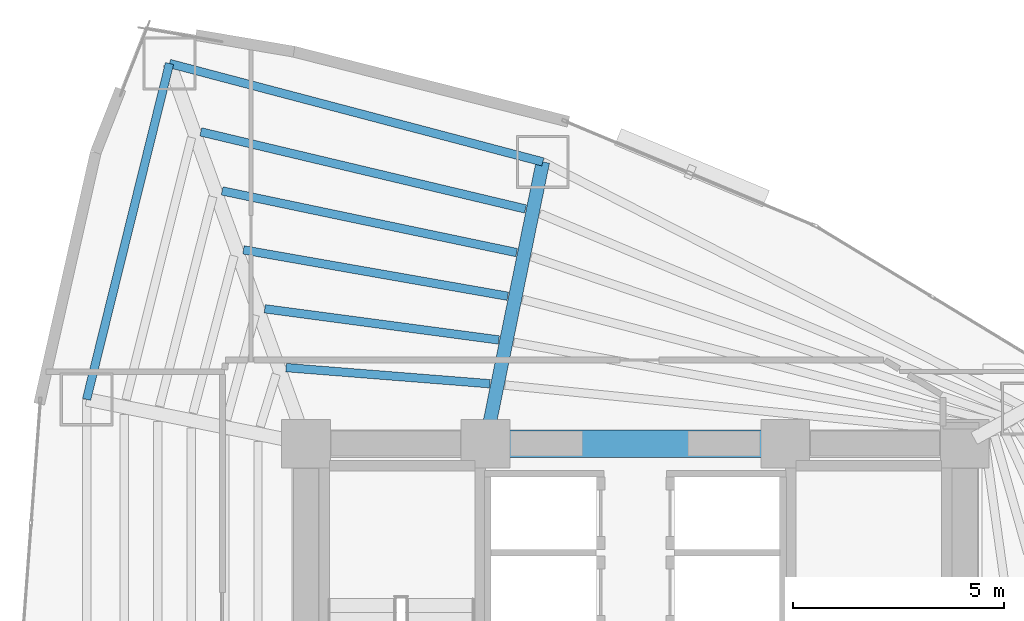
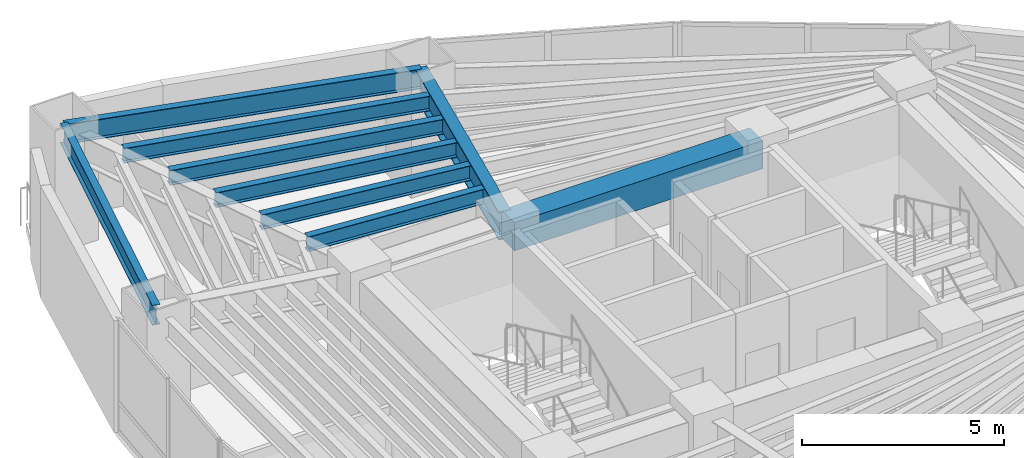
# One storey, part 8 of 16: 9 beams.
"""IFC4 building model written with IfcOpenShell, lengths in metres."""

from ifc_helpers import new_model, si_unit, direction, frame, origin, origin_2d, place, context, subcontext, project, spatial, rectangle, i_section, extrude, material, material_profile, profile_set, type_object, element, save


model = new_model("IFC4")

# Units and contexts
model_context = context("Model", 3, precision=1e-05, world=origin(), true_north=direction((0.0, 1.0)))
body_context = subcontext(model_context, "Body", "Model", "MODEL_VIEW")
ifc_project = project(units=[si_unit("LENGTHUNIT", "METRE"), si_unit("AREAUNIT", "SQUARE_METRE"), si_unit("VOLUMEUNIT", "CUBIC_METRE"), si_unit("PLANEANGLEUNIT", "RADIAN"), si_unit("MASSUNIT", "GRAM", prefix="KILO")], contexts=[model_context])

# Site, building, storey
site_placement = place(None, origin())
site = spatial("IfcSite", under=ifc_project, at=site_placement, CompositionType="ELEMENT")
building_placement = place(site_placement, origin())
building = spatial("IfcBuilding", under=site, at=building_placement, Name="Menara Vayukalpa", CompositionType="ELEMENT")
storey_placement = place(building_placement, frame((0.0, 0.0, 79.679931640625)))
storey = spatial("IfcBuildingStorey", under=building, at=storey_placement, Name="L19", CompositionType="ELEMENT", Elevation=79.679931640625)

# Beams
ifc_material_1 = material(Name="Concrete C60/75", Category="concrete")
ifc_material_profile_1 = material_profile(ifc_material_1, rectangle(XDim=0.64990234375, YDim=0.85009765625, at=origin_2d()), Name="RC 650x850")
ifc_profile_set_1 = profile_set([ifc_material_profile_1], Name="Concrete C60/75")
beam_type_1 = type_object("IfcBeamType", Name="BM-CB1", PredefinedType="BEAM", material=ifc_profile_set_1)
beam_1_placement = place(storey_placement, frame((22.050048828125, 26.800048828125, 2.955078125), z_axis=(1.0, 0.0, 0.0), x_axis=(0.0, 1.0, 0.0)))
element("IfcBeam", 1, at=beam_1_placement, inside=storey, type_object=beam_type_1, Name="L19 Core Tie Beam CBR5", PredefinedType="BEAM", context=body_context, shape_type="SweptSolid", body=[
    extrude(rectangle(XDim=0.64990234375, YDim=0.85009765625, at=origin_2d()), origin(), (0.0, 0.0, 1.0), 7.099853515625),
])
ifc_material_2 = material(Name="Steel S355", Category="steel")
ifc_material_profile_2 = material_profile(ifc_material_2, i_section(OverallWidth=0.320068359375, OverallDepth=0.85009765625, WebThickness=0.01611328125, FlangeThickness=0.030029296875, at=origin_2d()), Name="WF 850x320x16x30")
ifc_profile_set_2 = profile_set([ifc_material_profile_2], Name="Steel S355")
beam_type_2 = type_object("IfcBeamType", Name="BM-PG2", PredefinedType="BEAM", material=ifc_profile_set_2)
beam_2_placement = place(storey_placement, frame((22.099853515625, 27.044921875, 2.955078125), z_axis=(0.199617728418, 0.9798738503, 0.0), x_axis=(-0.9798738503, 0.199617728418, 0.0)))
element("IfcBeam", 2, at=beam_2_placement, inside=storey, type_object=beam_type_2, Name="L19 Primary Radial Girder RG03", PredefinedType="BEAM", context=body_context, shape_type="SweptSolid", body=[
    extrude(i_section(OverallWidth=0.320068359375, OverallDepth=0.85009765625, WebThickness=0.01611328125, FlangeThickness=0.030029296875, at=origin_2d()), origin(), (0.0, 0.0, 1.0), 6.55419921875),
])
ifc_material_3 = material(Name="Steel S355", Category="steel")
ifc_material_profile_3 = material_profile(ifc_material_3, i_section(OverallWidth=0.199951171875, OverallDepth=0.449951171875, WebThickness=0.009033203125, FlangeThickness=0.013916015625, at=origin_2d()), Name="WF 450x200x9x14")
ifc_profile_set_3 = profile_set([ifc_material_profile_3], Name="Steel S355")
beam_type_3 = type_object("IfcBeamType", Name="BM-SJ1", PredefinedType="JOIST", material=ifc_profile_set_3)
beam_3_placement = place(storey_placement, frame((22.156005859375, 28.21533203125, 3.155029296875), z_axis=(-0.996870502758, 0.079051886326, 0.0), x_axis=(-0.079051886326, -0.996870502758, 0.0)))
element("IfcBeam", 3, at=beam_3_placement, inside=storey, type_object=beam_type_3, Name="L19 Secondary Floor Joist SJ03-1", PredefinedType="JOIST", context=body_context, shape_type="SweptSolid", body=[
    extrude(i_section(OverallWidth=0.199951171875, OverallDepth=0.449951171875, WebThickness=0.009033203125, FlangeThickness=0.013916015625, at=origin_2d()), origin(), (0.0, 0.0, 1.0), 4.842529296875),
])
beam_4_placement = place(storey_placement, frame((22.3662109375, 29.25244140625, 3.155029296875), z_axis=(-0.991248863782, 0.132006401551, 0.0), x_axis=(-0.132006401551, -0.991248863782, 0.0)))
element("IfcBeam", 4, at=beam_4_placement, inside=storey, type_object=beam_type_3, Name="L19 Secondary Floor Joist SJ03-2", PredefinedType="JOIST", context=body_context, shape_type="SweptSolid", body=[
    extrude(i_section(OverallWidth=0.199951171875, OverallDepth=0.449951171875, WebThickness=0.009033203125, FlangeThickness=0.013916015625, at=origin_2d()), origin(), (0.0, 0.0, 1.0), 5.5908203125),
])
beam_5_placement = place(storey_placement, frame((22.576904296875, 30.287353515625, 3.155029296875), z_axis=(-0.984953696719, 0.172818446123, 0.0), x_axis=(-0.172818446123, -0.984953696719, 0.0)))
element("IfcBeam", 5, at=beam_5_placement, inside=storey, type_object=beam_type_3, Name="L19 Secondary Floor Joist SJ03-3", PredefinedType="JOIST", context=body_context, shape_type="SweptSolid", body=[
    extrude(i_section(OverallWidth=0.199951171875, OverallDepth=0.449951171875, WebThickness=0.009033203125, FlangeThickness=0.013916015625, at=origin_2d()), origin(), (0.0, 0.0, 1.0), 6.35302734375),
])
beam_6_placement = place(storey_placement, frame((22.787109375, 31.32080078125, 3.155029296875), z_axis=(-0.978749690575, 0.205058633565, 0.0), x_axis=(-0.205058633565, -0.978749690575, 0.0)))
element("IfcBeam", 6, at=beam_6_placement, inside=storey, type_object=beam_type_3, Name="L19 Secondary Floor Joist SJ03-4", PredefinedType="JOIST", context=body_context, shape_type="SweptSolid", body=[
    extrude(i_section(OverallWidth=0.199951171875, OverallDepth=0.449951171875, WebThickness=0.009033203125, FlangeThickness=0.013916015625, at=origin_2d()), origin(), (0.0, 0.0, 1.0), 7.123291015625),
])
beam_7_placement = place(storey_placement, frame((22.99755859375, 32.35302734375, 3.155029296875), z_axis=(-0.97293602969, 0.231074624596, 0.0), x_axis=(-0.231074624596, -0.97293602969, 0.0)))
element("IfcBeam", 7, at=beam_7_placement, inside=storey, type_object=beam_type_3, Name="L19 Secondary Floor Joist SJ03-5", PredefinedType="JOIST", context=body_context, shape_type="SweptSolid", body=[
    extrude(i_section(OverallWidth=0.199951171875, OverallDepth=0.449951171875, WebThickness=0.009033203125, FlangeThickness=0.013916015625, at=origin_2d()), origin(), (0.0, 0.0, 1.0), 7.90087890625),
])
ifc_material_4 = material(Name="Steel S355", Category="steel")
ifc_material_profile_4 = material_profile(ifc_material_4, i_section(OverallWidth=0.199951171875, OverallDepth=0.60009765625, WebThickness=0.010986328125, FlangeThickness=0.01708984375, at=origin_2d()), Name="WF 600x200x11x17")
ifc_profile_set_4 = profile_set([ifc_material_profile_4], Name="Steel S355")
beam_type_4 = type_object("IfcBeamType", Name="BM-SP1", PredefinedType="SPANDREL", material=ifc_profile_set_4)
beam_8_placement = place(storey_placement, frame((23.408203125, 33.46728515625, 3.080078125), z_axis=(-0.966966857313, 0.254902131921, 0.0), x_axis=(-0.254902131921, -0.966966857313, 0.0)))
element("IfcBeam", 8, at=beam_8_placement, inside=storey, type_object=beam_type_4, Name="L19 Perimeter Spandrel Beam SP03", PredefinedType="SPANDREL", context=body_context, shape_type="SweptSolid", body=[
    extrude(i_section(OverallWidth=0.199951171875, OverallDepth=0.60009765625, WebThickness=0.010986328125, FlangeThickness=0.01708984375, at=origin_2d()), origin(), (0.0, 0.0, 1.0), 9.14111328125),
])
beam_9_placement = place(storey_placement, frame((14.569091796875, 35.79736328125, 3.080078125), z_axis=(-0.239602739234, -0.970871014786, 0.0), x_axis=(0.970871014786, -0.239602739234, 0.0)))
element("IfcBeam", 9, at=beam_9_placement, inside=storey, type_object=beam_type_4, Name="L19 Perimeter Spandrel Beam SP04", PredefinedType="SPANDREL", context=body_context, shape_type="SweptSolid", body=[
    extrude(i_section(OverallWidth=0.199951171875, OverallDepth=0.60009765625, WebThickness=0.010986328125, FlangeThickness=0.01708984375, at=origin_2d()), origin(), (0.0, 0.0, 1.0), 8.190185546875),
])

save(model, "model.ifc")
